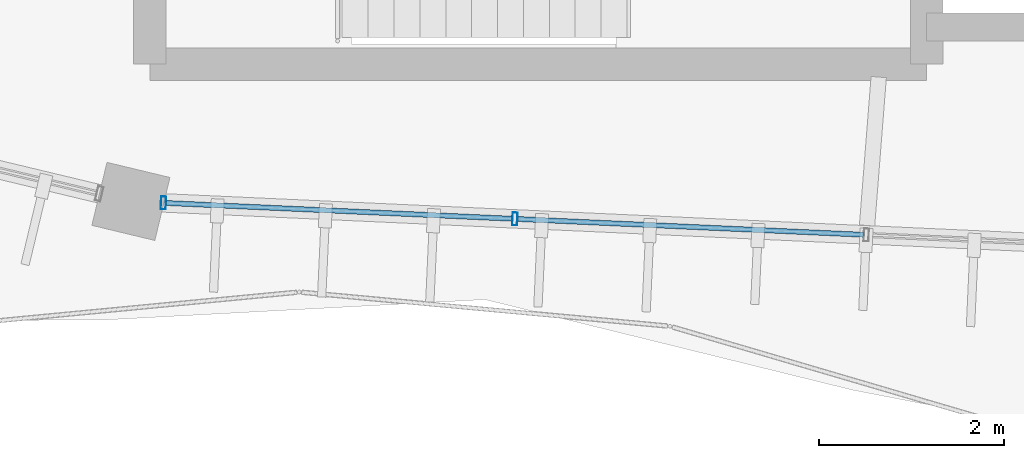
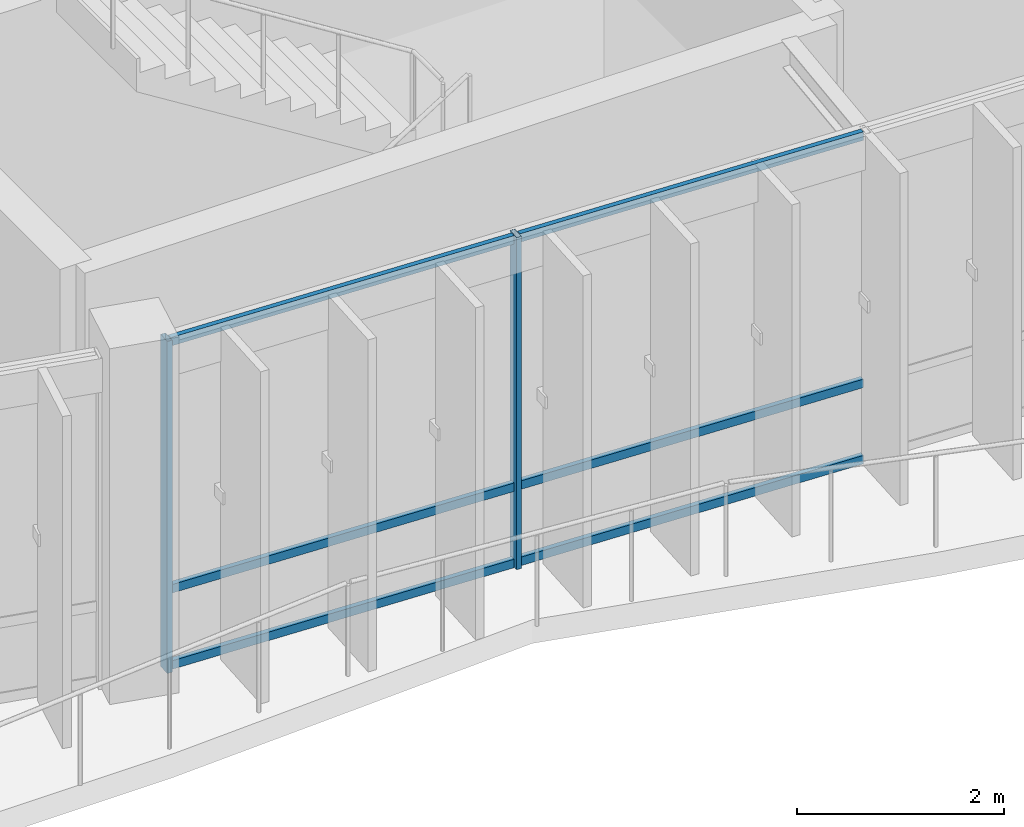
# One storey, part 26 of 138: 8 members, 1 element without a shape of its own.
"""IFC4 building model written with IfcOpenShell, lengths in metres."""

from ifc_helpers import new_model, si_unit, direction, frame, origin, origin_2d, place, context, subcontext, project, spatial, hollow_rectangle, extrude, material, material_profile, profile_set, type_object, element, aggregate, save


model = new_model("IFC4")

# Units and contexts
model_context = context("Model", 3, precision=1e-05, world=origin(), true_north=direction((0.0, 1.0)))
body_context = subcontext(model_context, "Body", "Model", "MODEL_VIEW")
ifc_project = project(units=[si_unit("LENGTHUNIT", "METRE"), si_unit("AREAUNIT", "SQUARE_METRE"), si_unit("VOLUMEUNIT", "CUBIC_METRE"), si_unit("PLANEANGLEUNIT", "RADIAN"), si_unit("MASSUNIT", "GRAM", prefix="KILO"), si_unit("THERMODYNAMICTEMPERATUREUNIT", "KELVIN"), si_unit("POWERUNIT", "WATT")], contexts=[model_context])

# Site, building, storey
site_placement = place(None, origin())
site = spatial("IfcSite", under=ifc_project, at=site_placement, CompositionType="ELEMENT")
building_placement = place(site_placement, origin())
building = spatial("IfcBuilding", under=site, at=building_placement, Name="Darbajah Civic Hall", CompositionType="ELEMENT")
storey_placement = place(building_placement, frame((0.0, 0.0, 9.60009765625)))
storey = spatial("IfcBuildingStorey", under=building, at=storey_placement, Name="L02", CompositionType="ELEMENT", Elevation=9.60009765625)

# Curtain wall, members
ifc_material_1 = material(Name="Anodised Bronze Aluminium and Low-E Glazing", Category="aluminium")
curtain_wall_type = type_object("IfcCurtainWallType", Name="Unitised Curtain Wall CW-32 15200x3900", PredefinedType="USERDEFINED", material=ifc_material_1)
curtain_wall_placement = place(storey_placement, origin())
curtain_wall = element("IfcCurtainWall", 1, at=curtain_wall_placement, inside=storey, type_object=curtain_wall_type, Name="L02 unitised curtain wall CW-V1O-L02-14", ObjectType="UNITISED CURTAIN WALL", PredefinedType="USERDEFINED")
ifc_material_2 = material(Name="Anodised Bronze Aluminium", Category="aluminium")
ifc_material_profile_1 = material_profile(ifc_material_2, hollow_rectangle(XDim=0.054931640625, YDim=0.139892578125, WallThickness=0.003173828125, at=origin_2d()), Name="ALU MULLION 55x140")
ifc_profile_set_1 = profile_set([ifc_material_profile_1], Name="Anodised Bronze Aluminium")
member_type_1 = type_object("IfcMemberType", Name="ALU MULLION 55x140", PredefinedType="MULLION", material=ifc_profile_set_1)
member_1_placement = place(storey_placement, frame((77.5458984375, 61.09912109375, 0.0), z_axis=(0.0, 0.0, 1.0), x_axis=(0.998962637241, -0.045537340693, 0.0)))
member_1 = element("IfcMember", 2, at=member_1_placement, type_object=member_type_1, Name="CW-V1O-L02-14 mullion 1", PredefinedType="MULLION", context=body_context, shape_type="SweptSolid", body=[
    extrude(hollow_rectangle(XDim=0.054931640625, YDim=0.139892578125, WallThickness=0.003173828125, at=origin_2d()), origin(), (0.0, 0.0, 1.0), 3.919921875),
])
member_2_placement = place(storey_placement, frame((81.346923828125, 60.926025390625, 0.0), z_axis=(0.0, 0.0, 1.0), x_axis=(0.998962637241, -0.045537340693, 0.0)))
member_2 = element("IfcMember", 3, at=member_2_placement, type_object=member_type_1, Name="CW-V1O-L02-14 mullion 2", PredefinedType="MULLION", context=body_context, shape_type="SweptSolid", body=[
    extrude(hollow_rectangle(XDim=0.054931640625, YDim=0.139892578125, WallThickness=0.003173828125, at=origin_2d()), origin(), (0.0, 0.0, 1.0), 3.919921875),
])
ifc_material_profile_2 = material_profile(ifc_material_2, hollow_rectangle(XDim=0.054931640625, YDim=0.10009765625, WallThickness=0.0029296875, at=origin_2d()), Name="ALU TRANSOM 55x100")
ifc_profile_set_2 = profile_set([ifc_material_profile_2], Name="Anodised Bronze Aluminium")
member_type_2 = type_object("IfcMemberType", Name="ALU TRANSOM 55x100", PredefinedType="USERDEFINED", material=ifc_profile_set_2)
member_3_placement = place(storey_placement, frame((77.578369140625, 61.09765625, 0.0498046875), z_axis=(0.998964363521, -0.045499455099, 0.0), x_axis=(0.045499455099, 0.998964363521, 0.0)))
member_3 = element("IfcMember", 4, at=member_3_placement, type_object=member_type_2, Name="CW-V1O-L02-14 transom 1.1", ObjectType="TRANSOM", PredefinedType="USERDEFINED", context=body_context, shape_type="SweptSolid", body=[
    extrude(hollow_rectangle(XDim=0.054931640625, YDim=0.10009765625, WallThickness=0.0029296875, at=origin_2d()), origin(), (0.0, 0.0, 1.0), 3.739990234375),
])
member_4_placement = place(storey_placement, frame((77.578369140625, 61.09765625, 0.949951171875), z_axis=(0.998964363521, -0.045499455099, 0.0), x_axis=(0.045499455099, 0.998964363521, 0.0)))
member_4 = element("IfcMember", 5, at=member_4_placement, type_object=member_type_2, Name="CW-V1O-L02-14 transom 1.2", ObjectType="TRANSOM", PredefinedType="USERDEFINED", context=body_context, shape_type="SweptSolid", body=[
    extrude(hollow_rectangle(XDim=0.054931640625, YDim=0.10009765625, WallThickness=0.0029296875, at=origin_2d()), origin(), (0.0, 0.0, 1.0), 3.739990234375),
])
member_5_placement = place(storey_placement, frame((77.578369140625, 61.09765625, 3.869873046875), z_axis=(0.998964363521, -0.045499455099, 0.0), x_axis=(0.045499455099, 0.998964363521, 0.0)))
member_5 = element("IfcMember", 6, at=member_5_placement, type_object=member_type_2, Name="CW-V1O-L02-14 transom 1.3", ObjectType="TRANSOM", PredefinedType="USERDEFINED", context=body_context, shape_type="SweptSolid", body=[
    extrude(hollow_rectangle(XDim=0.054931640625, YDim=0.10009765625, WallThickness=0.0029296875, at=origin_2d()), origin(), (0.0, 0.0, 1.0), 3.739990234375),
])
member_6_placement = place(storey_placement, frame((81.37939453125, 60.924560546875, 0.0498046875), z_axis=(0.998964363521, -0.045499455099, 0.0), x_axis=(0.045499455099, 0.998964363521, 0.0)))
member_6 = element("IfcMember", 7, at=member_6_placement, type_object=member_type_2, Name="CW-V1O-L02-14 transom 2.1", ObjectType="TRANSOM", PredefinedType="USERDEFINED", context=body_context, shape_type="SweptSolid", body=[
    extrude(hollow_rectangle(XDim=0.054931640625, YDim=0.10009765625, WallThickness=0.0029296875, at=origin_2d()), origin(), (0.0, 0.0, 1.0), 3.739990234375),
])
member_7_placement = place(storey_placement, frame((81.37939453125, 60.924560546875, 0.949951171875), z_axis=(0.998964363521, -0.045499455099, 0.0), x_axis=(0.045499455099, 0.998964363521, 0.0)))
member_7 = element("IfcMember", 8, at=member_7_placement, type_object=member_type_2, Name="CW-V1O-L02-14 transom 2.2", ObjectType="TRANSOM", PredefinedType="USERDEFINED", context=body_context, shape_type="SweptSolid", body=[
    extrude(hollow_rectangle(XDim=0.054931640625, YDim=0.10009765625, WallThickness=0.0029296875, at=origin_2d()), origin(), (0.0, 0.0, 1.0), 3.739990234375),
])
member_8_placement = place(storey_placement, frame((81.37939453125, 60.924560546875, 3.869873046875), z_axis=(0.998964363521, -0.045499455099, 0.0), x_axis=(0.045499455099, 0.998964363521, 0.0)))
member_8 = element("IfcMember", 9, at=member_8_placement, type_object=member_type_2, Name="CW-V1O-L02-14 transom 2.3", ObjectType="TRANSOM", PredefinedType="USERDEFINED", context=body_context, shape_type="SweptSolid", body=[
    extrude(hollow_rectangle(XDim=0.054931640625, YDim=0.10009765625, WallThickness=0.0029296875, at=origin_2d()), origin(), (0.0, 0.0, 1.0), 3.739990234375),
])
aggregate(curtain_wall, [member_1, member_2, member_3, member_4, member_5, member_6, member_7, member_8])

save(model, "model.ifc")
